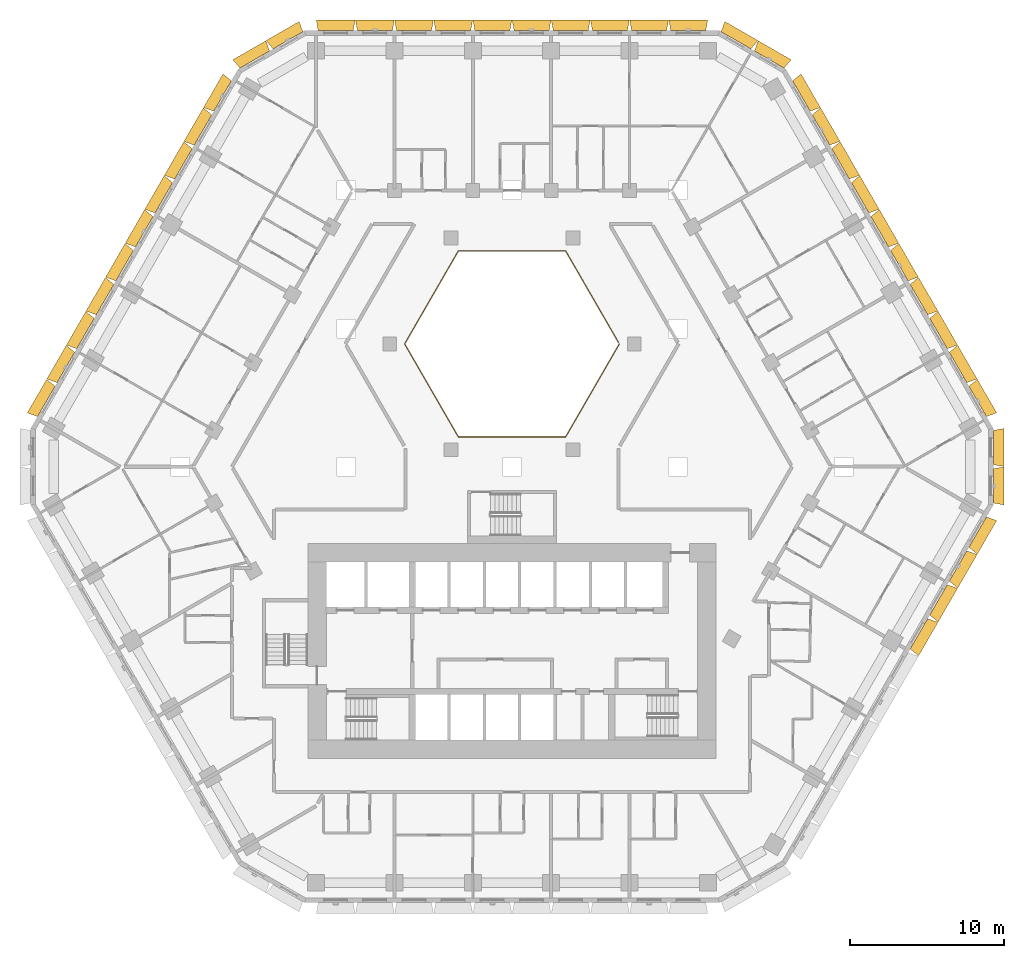
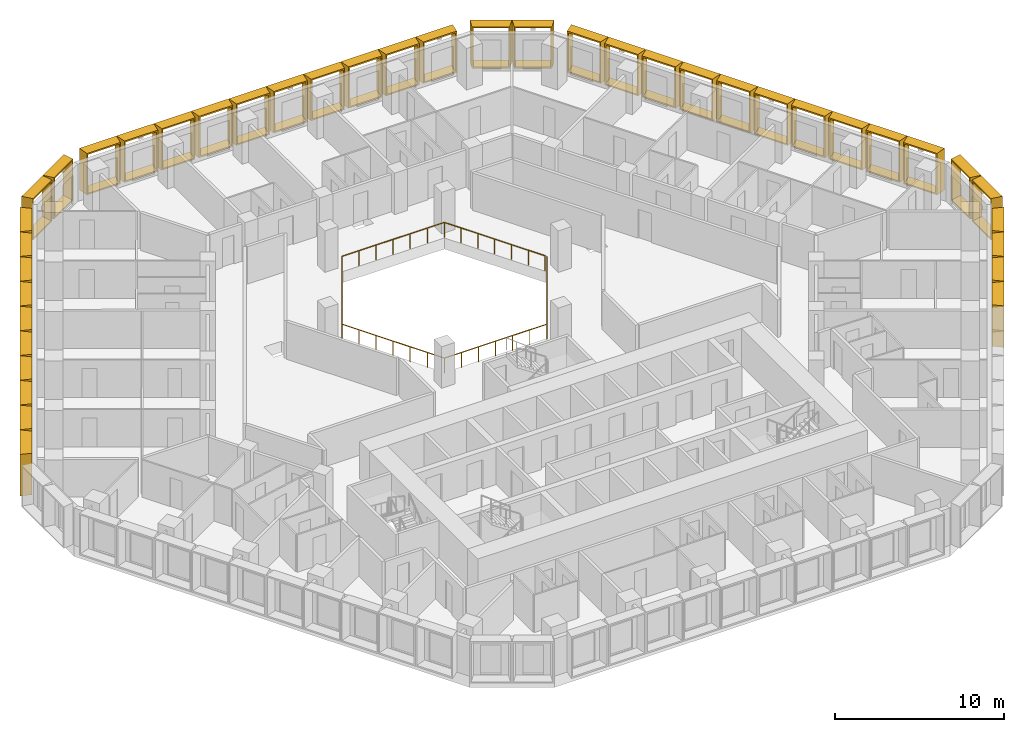
# One storey, part 21 of 21: 40 shading devices, 1 railing.
"""IFC4 building model written with IfcOpenShell, lengths in metres."""

import ifcopenshell
import ifcopenshell.guid

model = None  # the IFC model being written
_history = None  # IfcOwnerHistory: only IFC2X3 demands one
_inside = {}  # id of a spatial element -> (the spatial element, [elements in it])
_under = {}  # id of a project, library or spatial element -> (it, [spatial elements below it])
_declared = {}  # id of a project -> (the project, [libraries it declares])
_typed = {}  # id of a type object -> (the type object, [elements of that type])
_made_of = {}  # id of a material, layer set ... -> (it, [elements and type objects made of it])


def new_model(schema):
    """Start an empty IFC model of exactly this schema.

    Asked for "IFC4X3", IfcOpenShell would pick the latest addendum, in which some entities
    have other attributes; the version numbers below select the first issue.
    IFC2X3 requires an IfcOwnerHistory on every rooted entity: one is made here for all.
    """
    global model, _history
    if schema == "IFC4X3":
        model = ifcopenshell.file(schema_version=(4, 3, 0, 0))
    else:
        model = ifcopenshell.file(schema=schema)
    _inside.clear()
    _under.clear()
    _declared.clear()
    _typed.clear()
    _made_of.clear()
    _history = None
    if model.schema == "IFC2X3":
        org = make("IfcOrganization", Name="unknown")
        user = make(
            "IfcPersonAndOrganization",
            ThePerson=make("IfcPerson", FamilyName="unknown"),
            TheOrganization=org,
        )
        app = make(
            "IfcApplication",
            ApplicationDeveloper=org,
            Version="unknown",
            ApplicationFullName="unknown",
            ApplicationIdentifier="unknown",
        )
        _history = make(
            "IfcOwnerHistory",
            OwningUser=user,
            OwningApplication=app,
            ChangeAction="ADDED",
            CreationDate=0,
        )
    return model


def make(cls, **values):
    """One entity of the class cls with the attributes given. An attribute that is None is left unset."""
    return model.create_entity(
        cls, **{name: value for name, value in values.items() if value is not None}
    )


def entity(cls, *values):
    """Any entity or typed value of the class cls, its attributes in the order of the schema. None: left unset."""
    e = model.create_entity(cls)
    for i, value in enumerate(values):
        if value is not None:
            e[i] = value
    return e


def rooted(cls, **values):
    """An entity with a GlobalId (a new one), such as an element, a storey or a relation."""
    return make(cls, GlobalId=ifcopenshell.guid.new(), OwnerHistory=_history, **values)


def si_unit(unit_type, name, prefix=None):
    """IfcSIUnit, for example si_unit("LENGTHUNIT", "METRE", prefix="MILLI")."""
    return make("IfcSIUnit", UnitType=unit_type, Prefix=prefix, Name=name)


def assignment(units):
    """IfcUnitAssignment: the units of a project."""
    return None if units is None else make("IfcUnitAssignment", Units=units)


def point(xyz):
    """IfcCartesianPoint."""
    return None if xyz is None else make("IfcCartesianPoint", Coordinates=xyz)


def direction(xyz):
    """IfcDirection."""
    return None if xyz is None else make("IfcDirection", DirectionRatios=xyz)


def frame(location, z_axis=None, x_axis=None):
    """IfcAxis2Placement3D, a coordinate frame: its origin and axes. An axis left out is left unset."""
    return make(
        "IfcAxis2Placement3D",
        Location=point(location),
        Axis=direction(z_axis),
        RefDirection=direction(x_axis),
    )


def frame_2d(location, x_axis=None):
    """IfcAxis2Placement2D, a coordinate frame in the plane: its origin and x axis."""
    return make(
        "IfcAxis2Placement2D", Location=point(location), RefDirection=direction(x_axis)
    )


def origin():
    """The frame at (0, 0, 0) with its axes left unset."""
    return frame((0.0, 0.0, 0.0))


def origin_2d():
    """The frame at (0, 0) in the plane with its x axis left unset."""
    return frame_2d((0.0, 0.0))


def place(relative_to, where):
    """IfcLocalPlacement: puts the frame where relative to a parent placement (None: the world)."""
    return make(
        "IfcLocalPlacement", PlacementRelTo=relative_to, RelativePlacement=where
    )


def context(
    kind, dimensions, precision=None, world=None, true_north=None, identifier=None
):
    """IfcGeometricRepresentationContext, for example the 3D "Model" context."""
    return make(
        "IfcGeometricRepresentationContext",
        ContextIdentifier=identifier,
        ContextType=kind,
        CoordinateSpaceDimension=dimensions,
        Precision=precision,
        WorldCoordinateSystem=world,
        TrueNorth=true_north,
    )


def subcontext(parent, identifier, kind, view, scale=None):
    """IfcGeometricRepresentationSubContext, for example "Body" below "Model"."""
    return make(
        "IfcGeometricRepresentationSubContext",
        ContextIdentifier=identifier,
        ContextType=kind,
        ParentContext=parent,
        TargetScale=scale,
        TargetView=view,
    )


def project(units=None, contexts=None):
    """IfcProject with its units and contexts."""
    return rooted(
        "IfcProject",
        Name="project",
        RepresentationContexts=contexts,
        UnitsInContext=assignment(units),
    )


def spatial(cls, under=None, at=None, **own):
    """A site, building, storey or space (cls), placed at a placement, below another one or the project."""
    s = rooted(cls, ObjectPlacement=at, **own)
    if under is not None:
        _under.setdefault(under.id(), (under, []))[1].append(s)
    return s


def profile(cls, at=None, kind="AREA", **sizes):
    """A parametric profile (cls). Its sizes go by their IFC names, for example OverallWidth=200.0."""
    return make(cls, ProfileType=kind, Position=at, **sizes)


def rectangle(**sizes):
    """IfcRectangleProfileDef."""
    return profile("IfcRectangleProfileDef", **sizes)


def extrude(swept, where, along, depth):
    """IfcExtrudedAreaSolid: the profile swept, set in the frame where, extruded along a direction by depth."""
    return make(
        "IfcExtrudedAreaSolid",
        SweptArea=swept,
        Position=where,
        ExtrudedDirection=direction(along),
        Depth=depth,
    )


def shape(context_of_items, identifier, shape_type, items):
    """IfcShapeRepresentation: the items that make up one representation, for example the "Body"."""
    return make(
        "IfcShapeRepresentation",
        ContextOfItems=context_of_items,
        RepresentationIdentifier=identifier,
        RepresentationType=shape_type,
        Items=items,
    )


def source(mapping_origin, context_of_items, identifier, shape_type, items):
    """IfcRepresentationMap: a shape defined once, which mapped items show again and again."""
    return make(
        "IfcRepresentationMap",
        MappingOrigin=mapping_origin,
        MappedRepresentation=shape(context_of_items, identifier, shape_type, items),
    )


def transform(
    local_origin,
    x_axis=None,
    y_axis=None,
    z_axis=None,
    scale=None,
    scale2=None,
    scale3=None,
    uniform=True,
):
    """IfcCartesianTransformationOperator3D, or its non-uniform kind. x_axis, y_axis, z_axis: its Axis1, 2, 3."""
    if uniform:
        return make(
            "IfcCartesianTransformationOperator3D",
            Axis1=direction(x_axis),
            Axis2=direction(y_axis),
            LocalOrigin=point(local_origin),
            Scale=scale,
            Axis3=direction(z_axis),
        )
    return make(
        "IfcCartesianTransformationOperator3DnonUniform",
        Axis1=direction(x_axis),
        Axis2=direction(y_axis),
        LocalOrigin=point(local_origin),
        Scale=scale,
        Axis3=direction(z_axis),
        Scale2=scale2,
        Scale3=scale3,
    )


def mapped(mapping_source, mapping_target):
    """IfcMappedItem: shows the shape of a source again, moved by a transform."""
    return make(
        "IfcMappedItem", MappingSource=mapping_source, MappingTarget=mapping_target
    )


def material(Name=None, Category=None):
    """IfcMaterial."""
    return make("IfcMaterial", Name=Name, Category=Category)


def made_of(thing, what):
    """Note that an element or type object is made of a material, layer set ...; save() writes the relation."""
    if what is not None:
        _made_of.setdefault(what.id(), (what, []))[1].append(thing)
    return thing


def type_object(cls, material=None, **own):
    """A type object (cls), such as IfcWallType, which elements share."""
    return made_of(rooted(cls, **own), material)


def type_shapes(of_type, sources):
    """Give a type object the sources (RepresentationMaps) that its elements show as mapped items."""
    of_type.RepresentationMaps = sources


def element(
    cls,
    number,
    at=None,
    inside=None,
    cuts=None,
    type_object=None,
    material=None,
    context=None,
    identifier="Body",
    shape_type=None,
    held_by="IfcProductDefinitionShape",
    body=None,
    shapes=None,
    **own,
):
    """One element of the class cls, such as IfcWall. Its Tag is "e" and its number.

    at: its placement. inside: the storey or other place that contains it. cuts: it is an
    opening in that element (IfcRelVoidsElement). A single representation is given by context,
    identifier, shape_type and body (its items); several are given by shapes. held_by: the class
    of the entity that holds the representations. save() writes the other relations.
    """
    e = rooted(cls, Tag="e%d" % number, ObjectPlacement=at, **own)
    if body is not None:
        shapes = [shape(context, identifier, shape_type, body)]
    if shapes is not None:
        e.Representation = make(held_by, Representations=shapes)
    if inside is not None:
        _inside.setdefault(inside.id(), (inside, []))[1].append(e)
    if cuts is not None:
        rooted(
            "IfcRelVoidsElement", RelatingBuildingElement=cuts, RelatedOpeningElement=e
        )
    if type_object is not None:
        _typed.setdefault(type_object.id(), (type_object, []))[1].append(e)
    return made_of(e, material)


def aggregate(whole, parts):
    """IfcRelAggregates: a whole, such as a stair, and the parts it consists of."""
    return rooted("IfcRelAggregates", RelatingObject=whole, RelatedObjects=parts)


def save(model, path):
    """Write the relations noted so far, then the file.

    IfcRelAggregates (storeys below a building ...), IfcRelContainedInSpatialStructure (elements
    in a storey), IfcRelDefinesByType, IfcRelAssociatesMaterial and IfcRelDeclares: one each for
    every whole, place, type object, material and project.
    """
    for whole, parts in _under.values():
        aggregate(whole, parts)
    for where, things in _inside.values():
        rooted(
            "IfcRelContainedInSpatialStructure",
            RelatedElements=things,
            RelatingStructure=where,
        )
    for kind, things in _typed.values():
        rooted("IfcRelDefinesByType", RelatedObjects=things, RelatingType=kind)
    for what, things in _made_of.values():
        rooted("IfcRelAssociatesMaterial", RelatedObjects=things, RelatingMaterial=what)
    for by, libraries in _declared.values():
        rooted("IfcRelDeclares", RelatingContext=by, RelatedDefinitions=libraries)
    model.write(path)


model = new_model("IFC4")

# Units and contexts
model_context = context("Model", 3, precision=1e-05, world=origin(), true_north=direction((0.0, 1.0)))
body_context = subcontext(model_context, "Body", "Model", "MODEL_VIEW")
ifc_project = project(units=[si_unit("LENGTHUNIT", "METRE"), si_unit("AREAUNIT", "SQUARE_METRE"), si_unit("VOLUMEUNIT", "CUBIC_METRE"), si_unit("PLANEANGLEUNIT", "RADIAN"), si_unit("MASSUNIT", "GRAM", prefix="KILO")], contexts=[model_context])

# Site, building, storey
site_placement = place(None, origin())
site = spatial("IfcSite", under=ifc_project, at=site_placement, CompositionType="ELEMENT")
building_placement = place(site_placement, origin())
building = spatial("IfcBuilding", under=site, at=building_placement, Name="Beryl Residences", CompositionType="ELEMENT")
storey_placement = place(building_placement, frame((0.0, 0.0, 23.39990234375)))
storey = spatial("IfcBuildingStorey", under=building, at=storey_placement, Name="L06", CompositionType="ELEMENT", Elevation=23.39990234375)

# Railing
ifc_material_1 = material(Name="Stainless steel balustrade with glass infill", Category="steel")
railing_type = type_object("IfcRailingType", Name="EG1 edge guard 1100 mm", PredefinedType="GUARDRAIL", material=ifc_material_1)
railing_placement = place(storey_placement, frame((6.9970703125, 8.0, 0.0)))
element("IfcRailing", 1, at=railing_placement, inside=storey, type_object=railing_type, Name="L06 atrium guard", PredefinedType="GUARDRAIL", context=body_context, shape_type="SweptSolid", body=[
    extrude(rectangle(XDim=0.048095703125, YDim=0.048095703125, at=origin_2d()), frame((0.0, 0.0, 1.076171875), z_axis=(-0.499921796684, -0.866070549782, 0.0), x_axis=(0.866070549782, -0.499921796684, 0.0)), (0.0, 0.0, 1.0), 6.9970703125),
    extrude(rectangle(XDim=0.048095703125, YDim=0.048095703125, at=origin_2d()), frame((-3.498046875, -6.06005859375, 1.076171875), z_axis=(-1.0, 0.0, 0.0), x_axis=(0.0, -1.0, 0.0)), (0.0, 0.0, 1.0), 6.998046875),
    extrude(rectangle(XDim=0.048095703125, YDim=0.048095703125, at=origin_2d()), frame((-10.49609375, -6.06005859375, 1.076171875), z_axis=(-0.499921796684, 0.866070549782, 0.0), x_axis=(-0.866070549782, -0.499921796684, 0.0)), (0.0, 0.0, 1.0), 6.9970703125),
    extrude(rectangle(XDim=0.048095703125, YDim=0.048095703125, at=origin_2d()), frame((-13.994140625, 0.0, 1.076171875), z_axis=(0.499921796684, 0.866070549782, 0.0), x_axis=(-0.866070549782, 0.499921796684, 0.0)), (0.0, 0.0, 1.0), 6.9970703125),
    extrude(rectangle(XDim=0.048095703125, YDim=0.048095703125, at=origin_2d()), frame((-10.49609375, 6.06005859375, 1.076171875), z_axis=(1.0, 0.0, 0.0), x_axis=(0.0, 1.0, 0.0)), (0.0, 0.0, 1.0), 6.998046875),
    extrude(rectangle(XDim=0.048095703125, YDim=0.048095703125, at=origin_2d()), frame((-3.498046875, 6.06005859375, 1.076171875), z_axis=(0.499919131929, -0.866072087953, 0.0), x_axis=(0.866072087953, 0.499919131929, 0.0)), (0.0, 0.0, 1.0), 6.877197265625),
    extrude(rectangle(XDim=0.0419921875, YDim=0.0419921875, at=origin_2d()), origin(), (0.0, 0.0, 1.0), 1.052001953125),
    extrude(rectangle(XDim=0.0419921875, YDim=0.0419921875, at=origin_2d()), frame((-0.5830078125, -1.010009765625, 0.0)), (0.0, 0.0, 1.0), 1.052001953125),
    extrude(rectangle(XDim=0.0419921875, YDim=0.0419921875, at=origin_2d()), frame((-1.166015625, -2.02001953125, 0.0)), (0.0, 0.0, 1.0), 1.052001953125),
    extrude(rectangle(XDim=0.0419921875, YDim=0.0419921875, at=origin_2d()), frame((-1.7490234375, -3.030029296875, 0.0)), (0.0, 0.0, 1.0), 1.052001953125),
    extrude(rectangle(XDim=0.0419921875, YDim=0.0419921875, at=origin_2d()), frame((-2.33203125, -4.0400390625, 0.0)), (0.0, 0.0, 1.0), 1.052001953125),
    extrude(rectangle(XDim=0.0419921875, YDim=0.0419921875, at=origin_2d()), frame((-2.9150390625, -5.050048828125, 0.0)), (0.0, 0.0, 1.0), 1.052001953125),
    extrude(rectangle(XDim=0.0419921875, YDim=0.0419921875, at=origin_2d()), frame((-3.498046875, -6.06005859375, 0.0)), (0.0, 0.0, 1.0), 1.052001953125),
    extrude(rectangle(XDim=0.0419921875, YDim=0.0419921875, at=origin_2d()), frame((-4.664306640625, -6.06005859375, 0.0)), (0.0, 0.0, 1.0), 1.052001953125),
    extrude(rectangle(XDim=0.0419921875, YDim=0.0419921875, at=origin_2d()), frame((-5.830810546875, -6.06005859375, 0.0)), (0.0, 0.0, 1.0), 1.052001953125),
    extrude(rectangle(XDim=0.0419921875, YDim=0.0419921875, at=origin_2d()), frame((-6.9970703125, -6.06005859375, 0.0)), (0.0, 0.0, 1.0), 1.052001953125),
    extrude(rectangle(XDim=0.0419921875, YDim=0.0419921875, at=origin_2d()), frame((-8.163330078125, -6.06005859375, 0.0)), (0.0, 0.0, 1.0), 1.052001953125),
    extrude(rectangle(XDim=0.0419921875, YDim=0.0419921875, at=origin_2d()), frame((-9.329833984375, -6.06005859375, 0.0)), (0.0, 0.0, 1.0), 1.052001953125),
    extrude(rectangle(XDim=0.0419921875, YDim=0.0419921875, at=origin_2d()), frame((-10.49609375, -6.06005859375, 0.0)), (0.0, 0.0, 1.0), 1.052001953125),
    extrude(rectangle(XDim=0.0419921875, YDim=0.0419921875, at=origin_2d()), frame((-11.0791015625, -5.050048828125, 0.0)), (0.0, 0.0, 1.0), 1.052001953125),
    extrude(rectangle(XDim=0.0419921875, YDim=0.0419921875, at=origin_2d()), frame((-11.662109375, -4.0400390625, 0.0)), (0.0, 0.0, 1.0), 1.052001953125),
    extrude(rectangle(XDim=0.0419921875, YDim=0.0419921875, at=origin_2d()), frame((-12.2451171875, -3.030029296875, 0.0)), (0.0, 0.0, 1.0), 1.052001953125),
    extrude(rectangle(XDim=0.0419921875, YDim=0.0419921875, at=origin_2d()), frame((-12.828125, -2.02001953125, 0.0)), (0.0, 0.0, 1.0), 1.052001953125),
    extrude(rectangle(XDim=0.0419921875, YDim=0.0419921875, at=origin_2d()), frame((-13.4111328125, -1.010009765625, 0.0)), (0.0, 0.0, 1.0), 1.052001953125),
    extrude(rectangle(XDim=0.0419921875, YDim=0.0419921875, at=origin_2d()), frame((-13.994140625, 0.0, 0.0)), (0.0, 0.0, 1.0), 1.052001953125),
    extrude(rectangle(XDim=0.0419921875, YDim=0.0419921875, at=origin_2d()), frame((-13.4111328125, 1.010009765625, 0.0)), (0.0, 0.0, 1.0), 1.052001953125),
    extrude(rectangle(XDim=0.0419921875, YDim=0.0419921875, at=origin_2d()), frame((-12.828125, 2.02001953125, 0.0)), (0.0, 0.0, 1.0), 1.052001953125),
    extrude(rectangle(XDim=0.0419921875, YDim=0.0419921875, at=origin_2d()), frame((-12.2451171875, 3.030029296875, 0.0)), (0.0, 0.0, 1.0), 1.052001953125),
    extrude(rectangle(XDim=0.0419921875, YDim=0.0419921875, at=origin_2d()), frame((-11.662109375, 4.0400390625, 0.0)), (0.0, 0.0, 1.0), 1.052001953125),
    extrude(rectangle(XDim=0.0419921875, YDim=0.0419921875, at=origin_2d()), frame((-11.0791015625, 5.050048828125, 0.0)), (0.0, 0.0, 1.0), 1.052001953125),
    extrude(rectangle(XDim=0.0419921875, YDim=0.0419921875, at=origin_2d()), frame((-10.49609375, 6.06005859375, 0.0)), (0.0, 0.0, 1.0), 1.052001953125),
    extrude(rectangle(XDim=0.0419921875, YDim=0.0419921875, at=origin_2d()), frame((-9.329833984375, 6.06005859375, 0.0)), (0.0, 0.0, 1.0), 1.052001953125),
    extrude(rectangle(XDim=0.0419921875, YDim=0.0419921875, at=origin_2d()), frame((-8.163330078125, 6.06005859375, 0.0)), (0.0, 0.0, 1.0), 1.052001953125),
    extrude(rectangle(XDim=0.0419921875, YDim=0.0419921875, at=origin_2d()), frame((-6.9970703125, 6.06005859375, 0.0)), (0.0, 0.0, 1.0), 1.052001953125),
    extrude(rectangle(XDim=0.0419921875, YDim=0.0419921875, at=origin_2d()), frame((-5.830810546875, 6.06005859375, 0.0)), (0.0, 0.0, 1.0), 1.052001953125),
    extrude(rectangle(XDim=0.0419921875, YDim=0.0419921875, at=origin_2d()), frame((-4.664306640625, 6.06005859375, 0.0)), (0.0, 0.0, 1.0), 1.052001953125),
    extrude(rectangle(XDim=0.0419921875, YDim=0.0419921875, at=origin_2d()), frame((-3.498046875, 6.06005859375, 0.0)), (0.0, 0.0, 1.0), 1.052001953125),
    extrude(rectangle(XDim=0.0419921875, YDim=0.0419921875, at=origin_2d()), frame((-2.925048828125, 5.0673828125, 0.0)), (0.0, 0.0, 1.0), 1.052001953125),
    extrude(rectangle(XDim=0.0419921875, YDim=0.0419921875, at=origin_2d()), frame((-2.35205078125, 4.07470703125, 0.0)), (0.0, 0.0, 1.0), 1.052001953125),
    extrude(rectangle(XDim=0.0419921875, YDim=0.0419921875, at=origin_2d()), frame((-1.779052734375, 3.08203125, 0.0)), (0.0, 0.0, 1.0), 1.052001953125),
    extrude(rectangle(XDim=0.0419921875, YDim=0.0419921875, at=origin_2d()), frame((-1.2060546875, 2.08935546875, 0.0)), (0.0, 0.0, 1.0), 1.052001953125),
    extrude(rectangle(XDim=0.0419921875, YDim=0.0419921875, at=origin_2d()), frame((-0.633056640625, 1.0966796875, 0.0)), (0.0, 0.0, 1.0), 1.052001953125),
    extrude(rectangle(XDim=0.0419921875, YDim=0.0419921875, at=origin_2d()), frame((-0.06005859375, 0.10400390625, 0.0)), (0.0, 0.0, 1.0), 1.052001953125),
])

# Shading devices
ifc_material_2 = material(Name="Aluminium pale anodised", Category="aluminium")
shading_device_type_1 = type_object("IfcShadingDeviceType", Name="FR250-70A OUTER SKIN frame 700 mm deep, splay 10/10 deg, 2500 x 3000 mm cell", PredefinedType="USERDEFINED", material=ifc_material_2)
cartesian_point_1 = entity("IfcCartesianPoint", [-1.116455078125, 0.0])
cartesian_point_2 = entity("IfcCartesianPoint", [-1.03515625, 0.10009765625])
cartesian_point_3 = entity("IfcCartesianPoint", [-1.239990234375, 0.0])
cartesian_point_4 = entity("IfcCartesianPoint", [-1.15869140625, 0.10009765625])
shared_shape_1 = source(origin(), body_context, "Body", "SweptSolid", [
    entity("IfcExtrudedAreaSolidTapered", entity("IfcArbitraryProfileDefWithVoids", "AREA", None, entity("IfcPolyline", [cartesian_point_1, entity("IfcCartesianPoint", [1.116455078125, 0.0]), entity("IfcCartesianPoint", [1.116455078125, 3.0]), entity("IfcCartesianPoint", [-1.116455078125, 3.0]), cartesian_point_1]), [entity("IfcPolyline", [cartesian_point_2, entity("IfcCartesianPoint", [1.03515625, 0.10009765625]), entity("IfcCartesianPoint", [1.03515625, 2.89990234375]), entity("IfcCartesianPoint", [-1.03515625, 2.89990234375]), cartesian_point_2])]), entity("IfcAxis2Placement3D", entity("IfcCartesianPoint", [0.0, 0.0, 0.0]), entity("IfcDirection", [0.0, 1.0, 0.0]), entity("IfcDirection", [-1.0, 0.0, 0.0])), entity("IfcDirection", [0.0, 0.0, 1.0]), 0.699951171875, entity("IfcArbitraryProfileDefWithVoids", "AREA", None, entity("IfcPolyline", [cartesian_point_3, entity("IfcCartesianPoint", [1.239990234375, 0.0]), entity("IfcCartesianPoint", [1.239990234375, 3.0]), entity("IfcCartesianPoint", [-1.239990234375, 3.0]), cartesian_point_3]), [entity("IfcPolyline", [cartesian_point_4, entity("IfcCartesianPoint", [1.15869140625, 0.10009765625]), entity("IfcCartesianPoint", [1.15869140625, 2.89990234375]), entity("IfcCartesianPoint", [-1.15869140625, 2.89990234375]), cartesian_point_4])])),
])
type_shapes(shading_device_type_1, [shared_shape_1])
for number, where, z_axis, x_axis, name in (
    (2, (-14.593017578125, 27.77490234375, 0.0), (0.0, 0.0, 1.0), (0.866025403784, 0.5, 0.0), "FR250-70A frame L06 N-NW 1"),
    (3, (-16.758056640625, 26.52490234375, 0.0), (0.0, 0.0, 1.0), (0.866025403784, 0.5, 0.0), "FR250-70A frame L06 N-NW 2"),
    (4, (31.35009765625, -1.25, 0.0), (0.0, 0.0, 1.0), (0.0, -1.0, 0.0), "FR250-70A frame L06 SE-NE 1"),
    (5, (31.35009765625, 1.25, 0.0), (0.0, 0.0, 1.0), (0.0, -1.0, 0.0), "FR250-70A frame L06 SE-NE 2"),
    (6, (16.758056640625, 26.52490234375, 0.0), (0.0, 0.0, 1.0), (0.866025403784, -0.5, 0.0), "FR250-70A frame L06 NE-N 1"),
    (7, (14.593017578125, 27.77490234375, 0.0), (0.0, 0.0, 1.0), (0.866025403784, -0.5, 0.0), "FR250-70A frame L06 NE-N 2"),
):
    element("IfcShadingDevice", number, at=place(storey_placement, frame(where, z_axis=z_axis, x_axis=x_axis)), inside=storey, type_object=shading_device_type_1, Name=name, ObjectType="OUTER SKIN", PredefinedType="USERDEFINED", context=body_context, shape_type="MappedRepresentation", body=[
        mapped(shared_shape_1, transform((0.0, 0.0, 0.0))),
    ])
ifc_material_3 = material(Name="Aluminium pale anodised", Category="aluminium")
shading_device_type_2 = type_object("IfcShadingDeviceType", Name="FR255-70A OUTER SKIN frame 700 mm deep, splay 10/10 deg, 2550 x 3000 mm cell", PredefinedType="USERDEFINED", material=ifc_material_3)
cartesian_point_5 = entity("IfcCartesianPoint", [-1.1416015625, 0.0])
cartesian_point_6 = entity("IfcCartesianPoint", [-1.060302734375, 0.10009765625])
cartesian_point_7 = entity("IfcCartesianPoint", [-1.264892578125, 0.0])
cartesian_point_8 = entity("IfcCartesianPoint", [-1.18359375, 0.10009765625])
shared_shape_2 = source(origin(), body_context, "Body", "SweptSolid", [
    entity("IfcExtrudedAreaSolidTapered", entity("IfcArbitraryProfileDefWithVoids", "AREA", None, entity("IfcPolyline", [cartesian_point_5, entity("IfcCartesianPoint", [1.1416015625, 0.0]), entity("IfcCartesianPoint", [1.1416015625, 3.0]), entity("IfcCartesianPoint", [-1.1416015625, 3.0]), cartesian_point_5]), [entity("IfcPolyline", [cartesian_point_6, entity("IfcCartesianPoint", [1.060302734375, 0.10009765625]), entity("IfcCartesianPoint", [1.060302734375, 2.89990234375]), entity("IfcCartesianPoint", [-1.060302734375, 2.89990234375]), cartesian_point_6])]), entity("IfcAxis2Placement3D", entity("IfcCartesianPoint", [0.0, 0.0, 0.0]), entity("IfcDirection", [0.0, 1.0, 0.0]), entity("IfcDirection", [-1.0, 0.0, 0.0])), entity("IfcDirection", [0.0, 0.0, 1.0]), 0.699951171875, entity("IfcArbitraryProfileDefWithVoids", "AREA", None, entity("IfcPolyline", [cartesian_point_7, entity("IfcCartesianPoint", [1.264892578125, 0.0]), entity("IfcCartesianPoint", [1.264892578125, 3.0]), entity("IfcCartesianPoint", [-1.264892578125, 3.0]), cartesian_point_7]), [entity("IfcPolyline", [cartesian_point_8, entity("IfcCartesianPoint", [1.18359375, 0.10009765625]), entity("IfcCartesianPoint", [1.18359375, 2.89990234375]), entity("IfcCartesianPoint", [-1.18359375, 2.89990234375]), cartesian_point_8])])),
])
type_shapes(shading_device_type_2, [shared_shape_2])
for number, where, z_axis, x_axis, name in (
    (8, (11.48291015625, 28.39990234375, 0.0), (0.0, 0.0, 1.0), (1.0, 0.0, 0.0), "FR255-70A frame L06 N 1"),
    (9, (8.930908203125, 28.39990234375, 0.0), (0.0, 0.0, 1.0), (1.0, 0.0, 0.0), "FR255-70A frame L06 N 2"),
    (10, (6.37890625, 28.39990234375, 0.0), (0.0, 0.0, 1.0), (1.0, 0.0, 0.0), "FR255-70A frame L06 N 3"),
    (11, (3.826904296875, 28.39990234375, 0.0), (0.0, 0.0, 1.0), (1.0, 0.0, 0.0), "FR255-70A frame L06 N 4"),
    (12, (1.27490234375, 28.39990234375, 0.0), (0.0, 0.0, 1.0), (1.0, 0.0, 0.0), "FR255-70A frame L06 N 5"),
    (13, (-1.277099609375, 28.39990234375, 0.0), (0.0, 0.0, 1.0), (1.0, 0.0, 0.0), "FR255-70A frame L06 N 6"),
    (14, (-3.8291015625, 28.39990234375, 0.0), (0.0, 0.0, 1.0), (1.0, 0.0, 0.0), "FR255-70A frame L06 N 7"),
    (15, (-6.381103515625, 28.39990234375, 0.0), (0.0, 0.0, 1.0), (1.0, 0.0, 0.0), "FR255-70A frame L06 N 8"),
    (16, (-8.93310546875, 28.39990234375, 0.0), (0.0, 0.0, 1.0), (1.0, 0.0, 0.0), "FR255-70A frame L06 N 9"),
    (17, (-11.485107421875, 28.39990234375, 0.0), (0.0, 0.0, 1.0), (1.0, 0.0, 0.0), "FR255-70A frame L06 N 10"),
    (18, (-18.85400390625, 24.14501953125, 0.0), (0.0, 0.0, 1.0), (0.5, 0.866025403784, 0.0), "FR255-70A frame L06 NW 1"),
    (19, (-20.1298828125, 21.93505859375, 0.0), (0.0, 0.0, 1.0), (0.5, 0.866025403784, 0.0), "FR255-70A frame L06 NW 2"),
    (20, (-21.406005859375, 19.72412109375, 0.0), (0.0, 0.0, 1.0), (0.5, 0.866025403784, 0.0), "FR255-70A frame L06 NW 3"),
    (21, (-22.681884765625, 17.513916015625, 0.0), (0.0, 0.0, 1.0), (0.5, 0.866025403784, 0.0), "FR255-70A frame L06 NW 4"),
    (22, (-23.9580078125, 15.303955078125, 0.0), (0.0, 0.0, 1.0), (0.5, 0.866025403784, 0.0), "FR255-70A frame L06 NW 5"),
    (23, (-25.23291015625, 13.093994140625, 0.0), (0.0, 0.0, 1.0), (0.5, 0.866025403784, 0.0), "FR255-70A frame L06 NW 6"),
    (24, (-26.509033203125, 10.884033203125, 0.0), (0.0, 0.0, 1.0), (0.5, 0.866025403784, 0.0), "FR255-70A frame L06 NW 7"),
    (25, (-27.784912109375, 8.674072265625, 0.0), (0.0, 0.0, 1.0), (0.5, 0.866025403784, 0.0), "FR255-70A frame L06 NW 8"),
    (26, (-29.06103515625, 6.464111328125, 0.0), (0.0, 0.0, 1.0), (0.5, 0.866025403784, 0.0), "FR255-70A frame L06 NW 9"),
    (27, (-30.3369140625, 4.25390625, 0.0), (0.0, 0.0, 1.0), (0.5, 0.866025403784, 0.0), "FR255-70A frame L06 NW 10"),
    (28, (26.509033203125, -10.884033203125, 0.0), (0.0, 0.0, 1.0), (-0.5, -0.866025403784, 0.0), "FR255-70A frame L06 SE 7"),
    (29, (27.784912109375, -8.674072265625, 0.0), (0.0, 0.0, 1.0), (-0.5, -0.866025403784, 0.0), "FR255-70A frame L06 SE 8"),
    (30, (29.06103515625, -6.464111328125, 0.0), (0.0, 0.0, 1.0), (-0.5, -0.866025403784, 0.0), "FR255-70A frame L06 SE 9"),
    (31, (30.3369140625, -4.25390625, 0.0), (0.0, 0.0, 1.0), (-0.5, -0.866025403784, 0.0), "FR255-70A frame L06 SE 10"),
    (32, (30.3359375, 4.2548828125, 0.0), (0.0, 0.0, 1.0), (0.5, -0.866025403784, 0.0), "FR255-70A frame L06 NE 1"),
    (33, (29.06005859375, 6.465087890625, 0.0), (0.0, 0.0, 1.0), (0.5, -0.866025403784, 0.0), "FR255-70A frame L06 NE 2"),
    (34, (27.783935546875, 8.676025390625, 0.0), (0.0, 0.0, 1.0), (0.5, -0.866025403784, 0.0), "FR255-70A frame L06 NE 3"),
    (35, (26.508056640625, 10.885986328125, 0.0), (0.0, 0.0, 1.0), (0.5, -0.866025403784, 0.0), "FR255-70A frame L06 NE 4"),
    (36, (25.23193359375, 13.095947265625, 0.0), (0.0, 0.0, 1.0), (0.5, -0.866025403784, 0.0), "FR255-70A frame L06 NE 5"),
    (37, (23.95703125, 15.305908203125, 0.0), (0.0, 0.0, 1.0), (0.5, -0.866025403784, 0.0), "FR255-70A frame L06 NE 6"),
    (38, (22.680908203125, 17.51611328125, 0.0), (0.0, 0.0, 1.0), (0.5, -0.866025403784, 0.0), "FR255-70A frame L06 NE 7"),
    (39, (21.405029296875, 19.72607421875, 0.0), (0.0, 0.0, 1.0), (0.5, -0.866025403784, 0.0), "FR255-70A frame L06 NE 8"),
    (40, (20.12890625, 21.93603515625, 0.0), (0.0, 0.0, 1.0), (0.5, -0.866025403784, 0.0), "FR255-70A frame L06 NE 9"),
    (41, (18.85302734375, 24.14599609375, 0.0), (0.0, 0.0, 1.0), (0.5, -0.866025403784, 0.0), "FR255-70A frame L06 NE 10"),
):
    element("IfcShadingDevice", number, at=place(storey_placement, frame(where, z_axis=z_axis, x_axis=x_axis)), inside=storey, type_object=shading_device_type_2, Name=name, ObjectType="OUTER SKIN", PredefinedType="USERDEFINED", context=body_context, shape_type="MappedRepresentation", body=[
        mapped(shared_shape_2, transform((0.0, 0.0, 0.0))),
    ])

save(model, "model.ifc")
